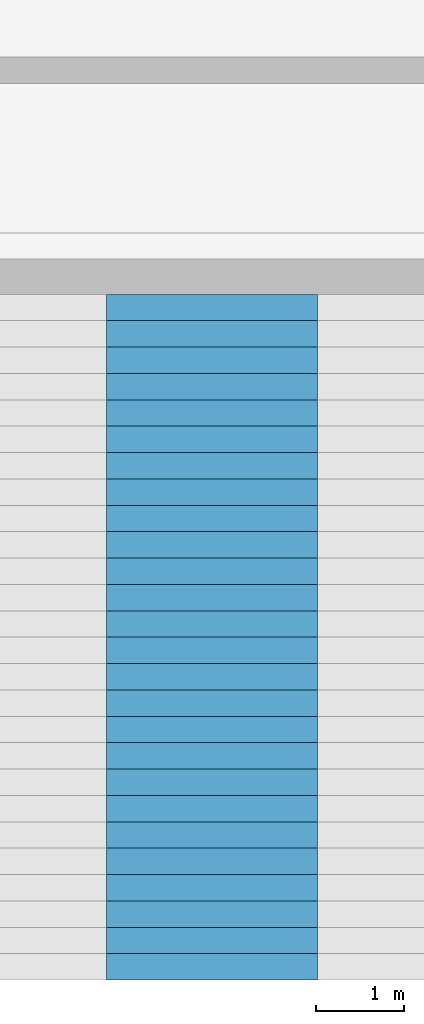
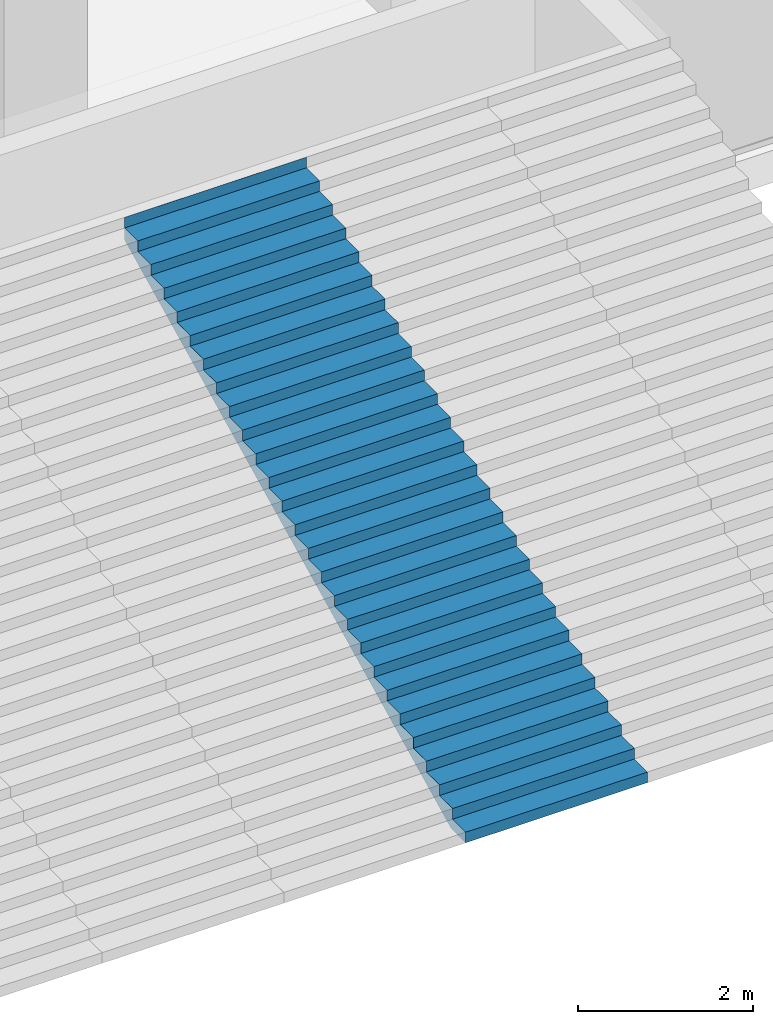
# One storey, part 30 of 45: 1 stair flight, 1 element without a shape of its own.
"""IFC4 building model written with IfcOpenShell, lengths in metres."""

from ifc_helpers import new_model, si_unit, direction, frame, origin, place, context, subcontext, project, spatial, triangles, material, type_object, element, aggregate, save


model = new_model("IFC4")

# Units and contexts
model_context = context("Model", 3, precision=1e-05, world=origin(), true_north=direction((0.0, 1.0)))
body_context = subcontext(model_context, "Body", "Model", "MODEL_VIEW")
ifc_project = project(units=[si_unit("LENGTHUNIT", "METRE"), si_unit("AREAUNIT", "SQUARE_METRE"), si_unit("VOLUMEUNIT", "CUBIC_METRE"), si_unit("PLANEANGLEUNIT", "RADIAN"), si_unit("MASSUNIT", "GRAM", prefix="KILO")], contexts=[model_context])

# Site, building, storey
site_placement = place(None, origin())
site = spatial("IfcSite", under=ifc_project, at=site_placement, CompositionType="ELEMENT")
building_placement = place(site_placement, origin())
building = spatial("IfcBuilding", under=site, at=building_placement, Name="Beryl Residences", CompositionType="ELEMENT")
storey_placement = place(building_placement, frame((0.0, 0.0, 5.0)))
storey = spatial("IfcBuildingStorey", under=building, at=storey_placement, Name="L01", CompositionType="ELEMENT", Elevation=5.0)

# Stair, stair flight
ifc_material_1 = material(Name="Precast concrete C40/50", Category="concrete")
stair_type = type_object("IfcStairType", Name="GS2 garden stair", PredefinedType="STRAIGHT_RUN_STAIR", material=ifc_material_1)
stair_placement = place(storey_placement, origin())
stair = element("IfcStair", 1, at=stair_placement, inside=storey, type_object=stair_type, Name="GS2 garden stair", PredefinedType="STRAIGHT_RUN_STAIR")
ifc_material_2 = material(Name="Precast concrete C40/50", Category="concrete")
stair_flight_type = type_object("IfcStairFlightType", Name="GF2 garden stair flight", PredefinedType="STRAIGHT", material=ifc_material_2)
stair_flight_placement = place(storey_placement, frame((6.0, -42.199951171875, 0.0), z_axis=(0.0, 0.0, 1.0), x_axis=(0.0, 1.0, 0.0)))
stair_flight = element("IfcStairFlight", 2, at=stair_flight_placement, type_object=stair_flight_type, Name="GS2 flight 8", NumberOfRisers=27, NumberOfTreads=26, PredefinedType="STRAIGHT", RiserHeight=0.148148148, TreadLength=0.3, context=body_context, shape_type="Tessellation", body=[
    triangles([(0.0, -1.199951171875, 0.0), (0.0, -0.60009765625, 0.0), (0.0, 0.0, 0.0), (0.0, 0.60009765625, 0.0), (0.0, 1.199951171875, 0.0), (0.0, -1.199951171875, 0.148193359375), (0.0, -0.60009765625, 0.148193359375), (0.0, 0.0, 0.148193359375), (0.0, 0.60009765625, 0.148193359375), (0.0, 1.199951171875, 0.148193359375), (0.300048828125, -1.199951171875, 0.148193359375), (0.300048828125, -0.60009765625, 0.148193359375), (0.300048828125, 0.0, 0.148193359375), (0.300048828125, 0.60009765625, 0.148193359375), (0.300048828125, 1.199951171875, 0.148193359375), (0.300048828125, -1.199951171875, 0.29638671875), (0.300048828125, -0.60009765625, 0.29638671875), (0.300048828125, 0.0, 0.29638671875), (0.300048828125, 0.60009765625, 0.29638671875), (0.300048828125, 1.199951171875, 0.29638671875), (0.60009765625, -1.199951171875, 0.29638671875), (0.60009765625, -0.60009765625, 0.29638671875), (0.60009765625, 0.0, 0.29638671875), (0.60009765625, 0.60009765625, 0.29638671875), (0.60009765625, 1.199951171875, 0.29638671875), (0.60009765625, -1.199951171875, 0.4443359375), (0.60009765625, -0.60009765625, 0.4443359375), (0.60009765625, 0.0, 0.4443359375), (0.60009765625, 0.60009765625, 0.4443359375), (0.60009765625, 1.199951171875, 0.4443359375), (0.89990234375, -1.199951171875, 0.4443359375), (0.89990234375, -0.60009765625, 0.4443359375), (0.89990234375, 0.0, 0.4443359375), (0.89990234375, 0.60009765625, 0.4443359375), (0.89990234375, 1.199951171875, 0.4443359375), (0.89990234375, -1.199951171875, 0.592529296875), (0.89990234375, -0.60009765625, 0.592529296875), (0.89990234375, 0.0, 0.592529296875), (0.89990234375, 0.60009765625, 0.592529296875), (0.89990234375, 1.199951171875, 0.592529296875), (1.199951171875, -1.199951171875, 0.592529296875), (1.199951171875, -0.60009765625, 0.592529296875), (1.199951171875, 0.0, 0.592529296875), (1.199951171875, 0.60009765625, 0.592529296875), (1.199951171875, 1.199951171875, 0.592529296875), (1.199951171875, -1.199951171875, 0.74072265625), (1.199951171875, -0.60009765625, 0.74072265625), (1.199951171875, 0.0, 0.74072265625), (1.199951171875, 0.60009765625, 0.74072265625), (1.199951171875, 1.199951171875, 0.74072265625), (1.5, -1.199951171875, 0.74072265625), (1.5, -0.60009765625, 0.74072265625), (1.5, 0.0, 0.74072265625), (1.5, 0.60009765625, 0.74072265625), (1.5, 1.199951171875, 0.74072265625), (1.5, -1.199951171875, 0.888916015625), (1.5, -0.60009765625, 0.888916015625), (1.5, 0.0, 0.888916015625), (1.5, 0.60009765625, 0.888916015625), (1.5, 1.199951171875, 0.888916015625), (1.800048828125, -1.199951171875, 0.888916015625), (1.800048828125, -0.60009765625, 0.888916015625), (1.800048828125, 0.0, 0.888916015625), (1.800048828125, 0.60009765625, 0.888916015625), (1.800048828125, 1.199951171875, 0.888916015625), (1.800048828125, -1.199951171875, 1.037109375), (1.800048828125, -0.60009765625, 1.037109375), (1.800048828125, 0.0, 1.037109375), (1.800048828125, 0.60009765625, 1.037109375), (1.800048828125, 1.199951171875, 1.037109375), (2.10009765625, -1.199951171875, 1.037109375), (2.10009765625, -0.60009765625, 1.037109375), (2.10009765625, 0.0, 1.037109375), (2.10009765625, 0.60009765625, 1.037109375), (2.10009765625, 1.199951171875, 1.037109375), (2.10009765625, -1.199951171875, 1.185302734375), (2.10009765625, -0.60009765625, 1.185302734375), (2.10009765625, 0.0, 1.185302734375), (2.10009765625, 0.60009765625, 1.185302734375), (2.10009765625, 1.199951171875, 1.185302734375), (2.39990234375, -1.199951171875, 1.185302734375), (2.39990234375, -0.60009765625, 1.185302734375), (2.39990234375, 0.0, 1.185302734375), (2.39990234375, 0.60009765625, 1.185302734375), (2.39990234375, 1.199951171875, 1.185302734375), (2.39990234375, -1.199951171875, 1.333251953125), (2.39990234375, -0.60009765625, 1.333251953125), (2.39990234375, 0.0, 1.333251953125), (2.39990234375, 0.60009765625, 1.333251953125), (2.39990234375, 1.199951171875, 1.333251953125), (2.699951171875, -1.199951171875, 1.333251953125), (2.699951171875, -0.60009765625, 1.333251953125), (2.699951171875, 0.0, 1.333251953125), (2.699951171875, 0.60009765625, 1.333251953125), (2.699951171875, 1.199951171875, 1.333251953125), (2.699951171875, -1.199951171875, 1.4814453125), (2.699951171875, -0.60009765625, 1.4814453125), (2.699951171875, 0.0, 1.4814453125), (2.699951171875, 0.60009765625, 1.4814453125), (2.699951171875, 1.199951171875, 1.4814453125), (3.0, -1.199951171875, 1.4814453125), (3.0, -0.60009765625, 1.4814453125), (3.0, 0.0, 1.4814453125), (3.0, 0.60009765625, 1.4814453125), (3.0, 1.199951171875, 1.4814453125), (3.0, -1.199951171875, 1.629638671875), (3.0, -0.60009765625, 1.629638671875), (3.0, 0.0, 1.629638671875), (3.0, 0.60009765625, 1.629638671875), (3.0, 1.199951171875, 1.629638671875), (3.300048828125, -1.199951171875, 1.629638671875), (3.300048828125, -0.60009765625, 1.629638671875), (3.300048828125, 0.0, 1.629638671875), (3.300048828125, 0.60009765625, 1.629638671875), (3.300048828125, 1.199951171875, 1.629638671875), (3.300048828125, -1.199951171875, 1.77783203125), (3.300048828125, -0.60009765625, 1.77783203125), (3.300048828125, 0.0, 1.77783203125), (3.300048828125, 0.60009765625, 1.77783203125), (3.300048828125, 1.199951171875, 1.77783203125), (3.60009765625, -1.199951171875, 1.77783203125), (3.60009765625, -0.60009765625, 1.77783203125), (3.60009765625, 0.0, 1.77783203125), (3.60009765625, 0.60009765625, 1.77783203125), (3.60009765625, 1.199951171875, 1.77783203125), (3.60009765625, -1.199951171875, 1.926025390625), (3.60009765625, -0.60009765625, 1.926025390625), (3.60009765625, 0.0, 1.926025390625), (3.60009765625, 0.60009765625, 1.926025390625), (3.60009765625, 1.199951171875, 1.926025390625), (3.89990234375, -1.199951171875, 1.926025390625), (3.89990234375, -0.60009765625, 1.926025390625), (3.89990234375, 0.0, 1.926025390625), (3.89990234375, 0.60009765625, 1.926025390625), (3.89990234375, 1.199951171875, 1.926025390625), (3.89990234375, -1.199951171875, 2.073974609375), (3.89990234375, -0.60009765625, 2.073974609375), (3.89990234375, 0.0, 2.073974609375), (3.89990234375, 0.60009765625, 2.073974609375), (3.89990234375, 1.199951171875, 2.073974609375), (4.199951171875, -1.199951171875, 2.073974609375), (4.199951171875, -0.60009765625, 2.073974609375), (4.199951171875, 0.0, 2.073974609375), (4.199951171875, 0.60009765625, 2.073974609375), (4.199951171875, 1.199951171875, 2.073974609375), (4.199951171875, -1.199951171875, 2.22216796875), (4.199951171875, -0.60009765625, 2.22216796875), (4.199951171875, 0.0, 2.22216796875), (4.199951171875, 0.60009765625, 2.22216796875), (4.199951171875, 1.199951171875, 2.22216796875), (4.5, -1.199951171875, 2.22216796875), (4.5, -0.60009765625, 2.22216796875), (4.5, 0.0, 2.22216796875), (4.5, 0.60009765625, 2.22216796875), (4.5, 1.199951171875, 2.22216796875), (4.5, -1.199951171875, 2.370361328125), (4.5, -0.60009765625, 2.370361328125), (4.5, 0.0, 2.370361328125), (4.5, 0.60009765625, 2.370361328125), (4.5, 1.199951171875, 2.370361328125), (4.800048828125, -1.199951171875, 2.370361328125), (4.800048828125, -0.60009765625, 2.370361328125), (4.800048828125, 0.0, 2.370361328125), (4.800048828125, 0.60009765625, 2.370361328125), (4.800048828125, 1.199951171875, 2.370361328125), (4.800048828125, -1.199951171875, 2.5185546875), (4.800048828125, -0.60009765625, 2.5185546875), (4.800048828125, 0.0, 2.5185546875), (4.800048828125, 0.60009765625, 2.5185546875), (4.800048828125, 1.199951171875, 2.5185546875), (5.10009765625, -1.199951171875, 2.5185546875), (5.10009765625, -0.60009765625, 2.5185546875), (5.10009765625, 0.0, 2.5185546875), (5.10009765625, 0.60009765625, 2.5185546875), (5.10009765625, 1.199951171875, 2.5185546875), (5.10009765625, -1.199951171875, 2.666748046875), (5.10009765625, -0.60009765625, 2.666748046875), (5.10009765625, 0.0, 2.666748046875), (5.10009765625, 0.60009765625, 2.666748046875), (5.10009765625, 1.199951171875, 2.666748046875), (5.39990234375, -1.199951171875, 2.666748046875), (5.39990234375, -0.60009765625, 2.666748046875), (5.39990234375, 0.0, 2.666748046875), (5.39990234375, 0.60009765625, 2.666748046875), (5.39990234375, 1.199951171875, 2.666748046875), (5.39990234375, -1.199951171875, 2.814697265625), (5.39990234375, -0.60009765625, 2.814697265625), (5.39990234375, 0.0, 2.814697265625), (5.39990234375, 0.60009765625, 2.814697265625), (5.39990234375, 1.199951171875, 2.814697265625), (5.699951171875, -1.199951171875, 2.814697265625), (5.699951171875, -0.60009765625, 2.814697265625), (5.699951171875, 0.0, 2.814697265625), (5.699951171875, 0.60009765625, 2.814697265625), (5.699951171875, 1.199951171875, 2.814697265625), (5.699951171875, -1.199951171875, 2.962890625), (5.699951171875, -0.60009765625, 2.962890625), (5.699951171875, 0.0, 2.962890625), (5.699951171875, 0.60009765625, 2.962890625), (5.699951171875, 1.199951171875, 2.962890625), (6.0, -1.199951171875, 2.962890625), (6.0, -0.60009765625, 2.962890625), (6.0, 0.0, 2.962890625), (6.0, 0.60009765625, 2.962890625), (6.0, 1.199951171875, 2.962890625), (6.0, -1.199951171875, 3.111083984375), (6.0, -0.60009765625, 3.111083984375), (6.0, 0.0, 3.111083984375), (6.0, 0.60009765625, 3.111083984375), (6.0, 1.199951171875, 3.111083984375), (6.300048828125, -1.199951171875, 3.111083984375), (6.300048828125, -0.60009765625, 3.111083984375), (6.300048828125, 0.0, 3.111083984375), (6.300048828125, 0.60009765625, 3.111083984375), (6.300048828125, 1.199951171875, 3.111083984375), (6.300048828125, -1.199951171875, 3.25927734375), (6.300048828125, -0.60009765625, 3.25927734375), (6.300048828125, 0.0, 3.25927734375), (6.300048828125, 0.60009765625, 3.25927734375), (6.300048828125, 1.199951171875, 3.25927734375), (6.60009765625, -1.199951171875, 3.25927734375), (6.60009765625, -0.60009765625, 3.25927734375), (6.60009765625, 0.0, 3.25927734375), (6.60009765625, 0.60009765625, 3.25927734375), (6.60009765625, 1.199951171875, 3.25927734375), (6.60009765625, -1.199951171875, 3.407470703125), (6.60009765625, -0.60009765625, 3.407470703125), (6.60009765625, 0.0, 3.407470703125), (6.60009765625, 0.60009765625, 3.407470703125), (6.60009765625, 1.199951171875, 3.407470703125), (6.89990234375, -1.199951171875, 3.407470703125), (6.89990234375, -0.60009765625, 3.407470703125), (6.89990234375, 0.0, 3.407470703125), (6.89990234375, 0.60009765625, 3.407470703125), (6.89990234375, 1.199951171875, 3.407470703125), (6.89990234375, -1.199951171875, 3.5556640625), (6.89990234375, -0.60009765625, 3.5556640625), (6.89990234375, 0.0, 3.5556640625), (6.89990234375, 0.60009765625, 3.5556640625), (6.89990234375, 1.199951171875, 3.5556640625), (7.199951171875, -1.199951171875, 3.5556640625), (7.199951171875, -0.60009765625, 3.5556640625), (7.199951171875, 0.0, 3.5556640625), (7.199951171875, 0.60009765625, 3.5556640625), (7.199951171875, 1.199951171875, 3.5556640625), (7.199951171875, -1.199951171875, 3.70361328125), (7.199951171875, -0.60009765625, 3.70361328125), (7.199951171875, 0.0, 3.70361328125), (7.199951171875, 0.60009765625, 3.70361328125), (7.199951171875, 1.199951171875, 3.70361328125), (7.5, -1.199951171875, 3.70361328125), (7.5, -0.60009765625, 3.70361328125), (7.5, 0.0, 3.70361328125), (7.5, 0.60009765625, 3.70361328125), (7.5, 1.199951171875, 3.70361328125), (7.5, -1.199951171875, 3.851806640625), (7.5, -0.60009765625, 3.851806640625), (7.5, 0.0, 3.851806640625), (7.5, 0.60009765625, 3.851806640625), (7.5, 1.199951171875, 3.851806640625), (7.800048828125, -1.199951171875, 3.851806640625), (7.800048828125, -0.60009765625, 3.851806640625), (7.800048828125, 0.0, 3.851806640625), (7.800048828125, 0.60009765625, 3.851806640625), (7.800048828125, 1.199951171875, 3.851806640625), (7.800048828125, -1.199951171875, 4.0), (7.800048828125, -0.60009765625, 4.0), (7.800048828125, 0.0, 4.0), (7.800048828125, 0.60009765625, 4.0), (7.800048828125, 1.199951171875, 4.0), (7.801025390625, -1.199951171875, 4.0), (7.801025390625, -0.60009765625, 4.0), (7.801025390625, 0.0, 4.0), (7.801025390625, 0.60009765625, 4.0), (7.801025390625, 1.199951171875, 4.0), (7.801025390625, -1.199951171875, 3.6845703125), (7.801025390625, -0.60009765625, 3.6845703125), (7.801025390625, 0.0, 3.6845703125), (7.801025390625, 0.60009765625, 3.6845703125), (7.801025390625, 1.199951171875, 3.6845703125), (0.339599609375, -1.199951171875, 0.0), (0.339599609375, -0.60009765625, 0.0), (0.339599609375, 0.0, 0.0), (0.339599609375, 0.60009765625, 0.0), (0.339599609375, 1.199951171875, 0.0)], [[1, 6, 7], [1, 7, 2], [2, 7, 8], [2, 8, 3], [3, 8, 9], [3, 9, 4], [4, 9, 10], [4, 10, 5], [6, 11, 12], [6, 12, 7], [7, 12, 13], [7, 13, 8], [8, 13, 14], [8, 14, 9], [9, 14, 15], [9, 15, 10], [11, 16, 17], [11, 17, 12], [12, 17, 18], [12, 18, 13], [13, 18, 19], [13, 19, 14], [14, 19, 20], [14, 20, 15], [16, 21, 22], [16, 22, 17], [17, 22, 23], [17, 23, 18], [18, 23, 24], [18, 24, 19], [19, 24, 25], [19, 25, 20], [21, 26, 27], [21, 27, 22], [22, 27, 28], [22, 28, 23], [23, 28, 29], [23, 29, 24], [24, 29, 30], [24, 30, 25], [26, 31, 32], [26, 32, 27], [27, 32, 33], [27, 33, 28], [28, 33, 34], [28, 34, 29], [29, 34, 35], [29, 35, 30], [31, 36, 37], [31, 37, 32], [32, 37, 38], [32, 38, 33], [33, 38, 39], [33, 39, 34], [34, 39, 40], [34, 40, 35], [36, 41, 42], [36, 42, 37], [37, 42, 43], [37, 43, 38], [38, 43, 44], [38, 44, 39], [39, 44, 45], [39, 45, 40], [41, 46, 47], [41, 47, 42], [42, 47, 48], [42, 48, 43], [43, 48, 49], [43, 49, 44], [44, 49, 50], [44, 50, 45], [46, 51, 52], [46, 52, 47], [47, 52, 53], [47, 53, 48], [48, 53, 54], [48, 54, 49], [49, 54, 55], [49, 55, 50], [51, 56, 57], [51, 57, 52], [52, 57, 58], [52, 58, 53], [53, 58, 59], [53, 59, 54], [54, 59, 60], [54, 60, 55], [56, 61, 62], [56, 62, 57], [57, 62, 63], [57, 63, 58], [58, 63, 64], [58, 64, 59], [59, 64, 65], [59, 65, 60], [61, 66, 67], [61, 67, 62], [62, 67, 68], [62, 68, 63], [63, 68, 69], [63, 69, 64], [64, 69, 70], [64, 70, 65], [66, 71, 72], [66, 72, 67], [67, 72, 73], [67, 73, 68], [68, 73, 74], [68, 74, 69], [69, 74, 75], [69, 75, 70], [71, 76, 77], [71, 77, 72], [72, 77, 78], [72, 78, 73], [73, 78, 79], [73, 79, 74], [74, 79, 80], [74, 80, 75], [76, 81, 82], [76, 82, 77], [77, 82, 83], [77, 83, 78], [78, 83, 84], [78, 84, 79], [79, 84, 85], [79, 85, 80], [81, 86, 87], [81, 87, 82], [82, 87, 88], [82, 88, 83], [83, 88, 89], [83, 89, 84], [84, 89, 90], [84, 90, 85], [86, 91, 92], [86, 92, 87], [87, 92, 93], [87, 93, 88], [88, 93, 94], [88, 94, 89], [89, 94, 95], [89, 95, 90], [91, 96, 97], [91, 97, 92], [92, 97, 98], [92, 98, 93], [93, 98, 99], [93, 99, 94], [94, 99, 100], [94, 100, 95], [96, 101, 102], [96, 102, 97], [97, 102, 103], [97, 103, 98], [98, 103, 104], [98, 104, 99], [99, 104, 105], [99, 105, 100], [101, 106, 107], [101, 107, 102], [102, 107, 108], [102, 108, 103], [103, 108, 109], [103, 109, 104], [104, 109, 110], [104, 110, 105], [106, 111, 112], [106, 112, 107], [107, 112, 113], [107, 113, 108], [108, 113, 114], [108, 114, 109], [109, 114, 115], [109, 115, 110], [111, 116, 117], [111, 117, 112], [112, 117, 118], [112, 118, 113], [113, 118, 119], [113, 119, 114], [114, 119, 120], [114, 120, 115], [116, 121, 122], [116, 122, 117], [117, 122, 123], [117, 123, 118], [118, 123, 124], [118, 124, 119], [119, 124, 125], [119, 125, 120], [121, 126, 127], [121, 127, 122], [122, 127, 128], [122, 128, 123], [123, 128, 129], [123, 129, 124], [124, 129, 130], [124, 130, 125], [126, 131, 132], [126, 132, 127], [127, 132, 133], [127, 133, 128], [128, 133, 134], [128, 134, 129], [129, 134, 135], [129, 135, 130], [131, 136, 137], [131, 137, 132], [132, 137, 138], [132, 138, 133], [133, 138, 139], [133, 139, 134], [134, 139, 140], [134, 140, 135], [136, 141, 142], [136, 142, 137], [137, 142, 143], [137, 143, 138], [138, 143, 144], [138, 144, 139], [139, 144, 145], [139, 145, 140], [141, 146, 147], [141, 147, 142], [142, 147, 148], [142, 148, 143], [143, 148, 149], [143, 149, 144], [144, 149, 150], [144, 150, 145], [146, 151, 152], [146, 152, 147], [147, 152, 153], [147, 153, 148], [148, 153, 154], [148, 154, 149], [149, 154, 155], [149, 155, 150], [151, 156, 157], [151, 157, 152], [152, 157, 158], [152, 158, 153], [153, 158, 159], [153, 159, 154], [154, 159, 160], [154, 160, 155], [156, 161, 162], [156, 162, 157], [157, 162, 163], [157, 163, 158], [158, 163, 164], [158, 164, 159], [159, 164, 165], [159, 165, 160], [161, 166, 167], [161, 167, 162], [162, 167, 168], [162, 168, 163], [163, 168, 169], [163, 169, 164], [164, 169, 170], [164, 170, 165], [166, 171, 172], [166, 172, 167], [167, 172, 173], [167, 173, 168], [168, 173, 174], [168, 174, 169], [169, 174, 175], [169, 175, 170], [171, 176, 177], [171, 177, 172], [172, 177, 178], [172, 178, 173], [173, 178, 179], [173, 179, 174], [174, 179, 180], [174, 180, 175], [176, 181, 182], [176, 182, 177], [177, 182, 183], [177, 183, 178], [178, 183, 184], [178, 184, 179], [179, 184, 185], [179, 185, 180], [181, 186, 187], [181, 187, 182], [182, 187, 188], [182, 188, 183], [183, 188, 189], [183, 189, 184], [184, 189, 190], [184, 190, 185], [186, 191, 192], [186, 192, 187], [187, 192, 193], [187, 193, 188], [188, 193, 194], [188, 194, 189], [189, 194, 195], [189, 195, 190], [191, 196, 197], [191, 197, 192], [192, 197, 198], [192, 198, 193], [193, 198, 199], [193, 199, 194], [194, 199, 200], [194, 200, 195], [196, 201, 202], [196, 202, 197], [197, 202, 203], [197, 203, 198], [198, 203, 204], [198, 204, 199], [199, 204, 205], [199, 205, 200], [201, 206, 207], [201, 207, 202], [202, 207, 208], [202, 208, 203], [203, 208, 209], [203, 209, 204], [204, 209, 210], [204, 210, 205], [206, 211, 212], [206, 212, 207], [207, 212, 213], [207, 213, 208], [208, 213, 214], [208, 214, 209], [209, 214, 215], [209, 215, 210], [211, 216, 217], [211, 217, 212], [212, 217, 218], [212, 218, 213], [213, 218, 219], [213, 219, 214], [214, 219, 220], [214, 220, 215], [216, 221, 222], [216, 222, 217], [217, 222, 223], [217, 223, 218], [218, 223, 224], [218, 224, 219], [219, 224, 225], [219, 225, 220], [221, 226, 227], [221, 227, 222], [222, 227, 228], [222, 228, 223], [223, 228, 229], [223, 229, 224], [224, 229, 230], [224, 230, 225], [226, 231, 232], [226, 232, 227], [227, 232, 233], [227, 233, 228], [228, 233, 234], [228, 234, 229], [229, 234, 235], [229, 235, 230], [231, 236, 237], [231, 237, 232], [232, 237, 238], [232, 238, 233], [233, 238, 239], [233, 239, 234], [234, 239, 240], [234, 240, 235], [236, 241, 242], [236, 242, 237], [237, 242, 243], [237, 243, 238], [238, 243, 244], [238, 244, 239], [239, 244, 245], [239, 245, 240], [241, 246, 247], [241, 247, 242], [242, 247, 248], [242, 248, 243], [243, 248, 249], [243, 249, 244], [244, 249, 250], [244, 250, 245], [246, 251, 252], [246, 252, 247], [247, 252, 253], [247, 253, 248], [248, 253, 254], [248, 254, 249], [249, 254, 255], [249, 255, 250], [251, 256, 257], [251, 257, 252], [252, 257, 258], [252, 258, 253], [253, 258, 259], [253, 259, 254], [254, 259, 260], [254, 260, 255], [256, 261, 262], [256, 262, 257], [257, 262, 263], [257, 263, 258], [258, 263, 264], [258, 264, 259], [259, 264, 265], [259, 265, 260], [261, 266, 267], [261, 267, 262], [262, 267, 268], [262, 268, 263], [263, 268, 269], [263, 269, 264], [264, 269, 270], [264, 270, 265], [266, 271, 272], [266, 272, 267], [267, 272, 273], [267, 273, 268], [268, 273, 274], [268, 274, 269], [269, 274, 275], [269, 275, 270], [271, 276, 277], [271, 277, 272], [272, 277, 278], [272, 278, 273], [273, 278, 279], [273, 279, 274], [274, 279, 280], [274, 280, 275], [276, 281, 282], [276, 282, 277], [277, 282, 283], [277, 283, 278], [278, 283, 284], [278, 284, 279], [279, 284, 285], [279, 285, 280], [281, 1, 2], [281, 2, 282], [282, 2, 3], [282, 3, 283], [283, 3, 4], [283, 4, 284], [284, 4, 5], [284, 5, 285], [1, 281, 276], [5, 280, 285], [276, 271, 266], [280, 270, 275], [276, 266, 261], [280, 265, 270], [276, 261, 256], [280, 260, 265], [276, 256, 251], [280, 255, 260], [276, 251, 246], [280, 250, 255], [276, 246, 241], [280, 245, 250], [241, 236, 231], [245, 235, 240], [276, 241, 231], [280, 235, 245], [231, 226, 221], [235, 225, 230], [276, 231, 221], [280, 225, 235], [221, 216, 211], [225, 215, 220], [276, 221, 211], [280, 215, 225], [211, 206, 201], [215, 205, 210], [276, 211, 201], [280, 205, 215], [201, 196, 191], [205, 195, 200], [276, 201, 191], [280, 195, 205], [191, 186, 181], [195, 185, 190], [276, 191, 181], [280, 185, 195], [181, 176, 171], [185, 175, 180], [276, 181, 171], [280, 175, 185], [171, 166, 161], [175, 165, 170], [276, 171, 161], [280, 165, 175], [161, 156, 151], [165, 155, 160], [276, 161, 151], [280, 155, 165], [151, 146, 141], [155, 145, 150], [276, 151, 141], [280, 145, 155], [141, 136, 131], [145, 135, 140], [276, 141, 131], [280, 135, 145], [131, 126, 121], [135, 125, 130], [276, 131, 121], [280, 125, 135], [121, 116, 111], [125, 115, 120], [276, 121, 111], [280, 115, 125], [111, 106, 101], [115, 105, 110], [276, 111, 101], [280, 105, 115], [101, 96, 91], [105, 95, 100], [276, 101, 91], [280, 95, 105], [91, 86, 81], [95, 85, 90], [276, 91, 81], [280, 85, 95], [81, 76, 71], [85, 75, 80], [276, 81, 71], [280, 75, 85], [71, 66, 61], [75, 65, 70], [276, 71, 61], [280, 65, 75], [61, 56, 51], [65, 55, 60], [276, 61, 51], [280, 55, 65], [51, 46, 41], [55, 45, 50], [276, 51, 41], [280, 45, 55], [41, 36, 31], [45, 35, 40], [276, 41, 31], [280, 35, 45], [1, 276, 31], [5, 35, 280], [31, 26, 21], [35, 25, 30], [21, 16, 11], [25, 15, 20], [31, 21, 11], [35, 15, 25], [1, 31, 11], [5, 15, 35], [11, 6, 1], [15, 5, 10]], closed=True),
])
aggregate(stair, [stair_flight])

save(model, "model.ifc")
